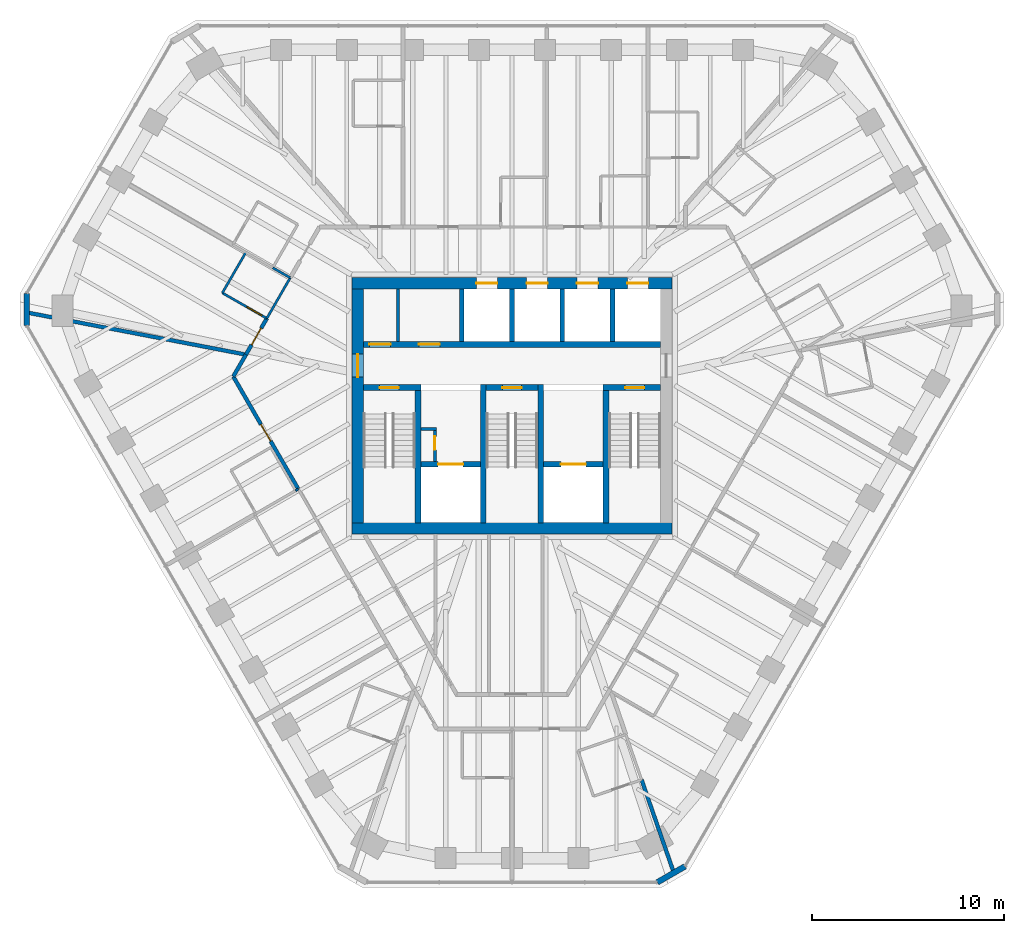
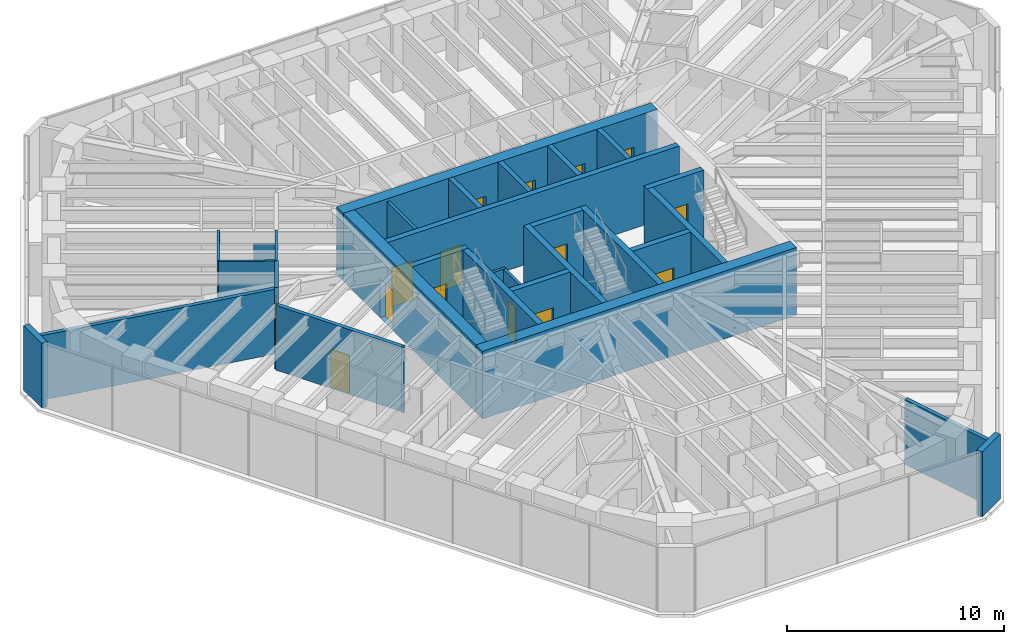
# One storey, part 10 of 14: 32 walls, 16 doors, 16 openings.
"""IFC4 building model written with IfcOpenShell, lengths in metres."""

from ifc_helpers import new_model, si_unit, direction, frame, frame_2d, origin, place, context, subcontext, project, spatial, rectangle, extrude, material, layer, layer_set, type_object, element, fill, save


model = new_model("IFC4")

# Units and contexts
model_context = context("Model", 3, precision=1e-05, world=origin(), true_north=direction((0.0, 1.0)))
body_context = subcontext(model_context, "Body", "Model", "MODEL_VIEW")
ifc_project = project(units=[si_unit("LENGTHUNIT", "METRE"), si_unit("AREAUNIT", "SQUARE_METRE"), si_unit("VOLUMEUNIT", "CUBIC_METRE"), si_unit("PLANEANGLEUNIT", "RADIAN"), si_unit("MASSUNIT", "GRAM", prefix="KILO")], contexts=[model_context])

# Site, building, storey
site_placement = place(None, origin())
site = spatial("IfcSite", under=ifc_project, at=site_placement, CompositionType="ELEMENT")
building_placement = place(site_placement, origin())
building = spatial("IfcBuilding", under=site, at=building_placement, Name="Sandreach Pilgrim Tower", CompositionType="ELEMENT")
storey_placement = place(building_placement, frame((0.0, 0.0, 272.199951171875)))
storey = spatial("IfcBuildingStorey", under=building, at=storey_placement, Name="L68", CompositionType="ELEMENT", Elevation=272.199951171875)

# Wall
ifc_material_1 = material(Name="Gypsum board on steel studs", Category="steel")
ifc_layer_1 = layer(ifc_material_1, 0.14990234375)
ifc_layer_set_1 = layer_set([ifc_layer_1], Name="Back of house wall 150")
wall_type_1 = type_object("IfcWallType", Name="Back of house wall 150", PredefinedType="PARTITIONING", material=ifc_layer_set_1)
wall_1_placement = place(storey_placement, frame((-5.949951171875, 3.35009765625, 0.0), z_axis=(0.0, 0.0, 1.0), x_axis=(0.0, 1.0, 0.0)))
element("IfcWall", 1, at=wall_1_placement, inside=storey, type_object=wall_type_1, Name="Core room partition L68 1", PredefinedType="PARTITIONING", context=body_context, shape_type="SweptSolid", body=[
    extrude(rectangle(XDim=2.75, YDim=0.14990234375, at=frame_2d((1.375, 0.0))), origin(), (0.0, 0.0, 1.0), 3.64013671875),
])

# Wall, opening, door
ifc_material_2 = material(Name="Moisture-resistant gypsum board on steel studs", Category="steel")
ifc_layer_2 = layer(ifc_material_2, 0.1201171875)
ifc_layer_set_2 = layer_set([ifc_layer_2], Name="Bathroom partition 120")
wall_type_2 = type_object("IfcWallType", Name="Bathroom partition 120", PredefinedType="PARTITIONING", material=ifc_layer_set_2)
wall_2_placement = place(storey_placement, frame((-15.110107421875, 5.889892578125, 0.0), z_axis=(0.0, 0.0, 1.0), x_axis=(0.867585049529, -0.497288831399, 0.0)))
wall_2 = element("IfcWall", 2, at=wall_2_placement, inside=storey, type_object=wall_type_2, Name="Bathroom partition L68-004", PredefinedType="PARTITIONING", context=body_context, shape_type="SweptSolid", body=[
    extrude(rectangle(XDim=2.674072265625, YDim=0.1201171875, at=frame_2d((1.3369140625, 0.0))), origin(), (0.0, 0.0, 1.0), 3.64013671875),
])
opening_1_placement = place(wall_2_placement, frame((1.47412109375, 0.0, 0.0)))
opening_1 = element("IfcOpeningElement", 3, at=opening_1_placement, cuts=wall_2, Name="Opening D09-15B", PredefinedType="OPENING", context=body_context, shape_type="SweptSolid", body=[
    extrude(rectangle(XDim=0.89990234375, YDim=2.030029296875, at=frame_2d((0.449951171875, 1.01513671875))), frame((0.0, 0.06005859375, 0.0), z_axis=(0.0, -1.0, 0.0), x_axis=(1.0, 0.0, 0.0)), (0.0, 0.0, 1.0), 0.1201171875),
])
ifc_material_3 = material(Name="Timber door, steel frame", Category="steel")
door_type_1 = type_object("IfcDoorType", Name="Bathroom door", OperationType="SINGLE_SWING_LEFT", PredefinedType="DOOR", material=ifc_material_3)
door_1_placement = place(opening_1_placement, origin())
door_1 = element("IfcDoor", 4, at=door_1_placement, inside=storey, type_object=door_type_1, Name="Door 6815B", OperationType="SINGLE_SWING_RIGHT", OverallHeight=2.030029296875, OverallWidth=0.89990234375, PredefinedType="DOOR", context=body_context, shape_type="SweptSolid", body=[
    extrude(rectangle(XDim=0.89990234375, YDim=2.030029296875, at=frame_2d((0.449951171875, 1.01513671875))), frame((0.0, 0.02490234375, 0.0), z_axis=(0.0, -1.0, 0.0), x_axis=(1.0, 0.0, 0.0)), (0.0, 0.0, 1.0), 0.050048828125),
])
fill(opening_1, door_1)

# Walls
wall_3_placement = place(storey_placement, frame((-13.8798828125, 8.010009765625, 0.0), z_axis=(0.0, 0.0, 1.0), x_axis=(-0.501888006485, -0.864932615264, 0.0)))
element("IfcWall", 5, at=wall_3_placement, inside=storey, type_object=wall_type_2, Name="Bathroom partition L68-011", PredefinedType="PARTITIONING", context=body_context, shape_type="SweptSolid", body=[
    extrude(rectangle(XDim=2.451171875, YDim=0.1201171875, at=frame_2d((1.2255859375, 0.0))), origin(), (0.0, 0.0, 1.0), 3.64013671875),
])
wall_4_placement = place(storey_placement, frame((-12.7900390625, 4.56005859375, 0.0), z_axis=(0.0, 0.0, 1.0), x_axis=(0.499252904436, 0.866456310158, 0.0)))
element("IfcWall", 6, at=wall_4_placement, inside=storey, type_object=wall_type_2, Name="Bathroom partition L68-017", PredefinedType="PARTITIONING", context=body_context, shape_type="SweptSolid", body=[
    extrude(rectangle(XDim=2.446044921875, YDim=0.1201171875, at=frame_2d((1.22314453125, 0.0))), origin(), (0.0, 0.0, 1.0), 3.64013671875),
])
wall_5_placement = place(storey_placement, frame((-12.47998046875, 7.199951171875, 0.0), z_axis=(0.0, 0.0, 1.0), x_axis=(0.868214469581, -0.496189111942, 0.0)))
element("IfcWall", 7, at=wall_5_placement, inside=storey, type_object=wall_type_2, Name="Bathroom partition L68-019", PredefinedType="PARTITIONING", context=body_context, shape_type="SweptSolid", body=[
    extrude(rectangle(XDim=1.048095703125, YDim=0.1201171875, at=frame_2d((0.52392578125, 0.0))), origin(), (0.0, 0.0, 1.0), 2.8779296875),
])
wall_6_placement = place(storey_placement, frame((-11.280029296875, -4.419921875, 0.0), z_axis=(0.0, 0.0, 1.0), x_axis=(0.851933114221, 0.5236506172, 0.0)))
element("IfcWall", 8, at=wall_6_placement, inside=storey, type_object=wall_type_2, Name="Bathroom partition L68-024", PredefinedType="PARTITIONING", context=body_context, shape_type="SweptSolid", body=[
    extrude(rectangle(XDim=0.15234375, YDim=0.1201171875, at=frame_2d((0.076171875, 0.0))), origin(), (0.0, 0.0, 1.0), 3.64013671875),
])
ifc_material_4 = material(Name="Concrete 10000 psi", Category="concrete")
ifc_layer_3 = layer(ifc_material_4, 0.300048828125)
ifc_layer_set_3 = layer_set([ifc_layer_3], Name="Core inner wall 300")
wall_type_3 = type_object("IfcWallType", Name="Core inner wall 300", PredefinedType="SHEAR", material=ifc_layer_set_3)
for number, where, z_axis, x_axis, name in (
    (9, (-4.89990234375, -6.10009765625, 0.0), (0.0, 0.0, 1.0), (0.0, 1.0, 0.0), "Core wall I0 L68"),
    (10, (-1.5, -6.10009765625, 0.0), (0.0, 0.0, 1.0), (0.0, 1.0, 0.0), "Core wall I1 L68"),
    (11, (1.5, -6.10009765625, 0.0), (0.0, 0.0, 1.0), (0.0, 1.0, 0.0), "Core wall I2 L68"),
    (12, (4.89990234375, -6.10009765625, 0.0), (0.0, 0.0, 1.0), (0.0, 1.0, 0.0), "Core wall I3 L68"),
):
    element("IfcWall", number, at=place(storey_placement, frame(where, z_axis=z_axis, x_axis=x_axis)), inside=storey, type_object=wall_type_3, Name=name, PredefinedType="SHEAR", context=body_context, shape_type="SweptSolid", body=[
        extrude(rectangle(XDim=7.2001953125, YDim=0.300048828125, at=frame_2d((3.60009765625, 0.0))), origin(), (0.0, 0.0, 1.0), 3.800048828125),
    ])

# Wall, opening, door
wall_7_placement = place(storey_placement, frame((-7.75, 0.949951171875, 0.0), z_axis=(0.0, 0.0, 1.0), x_axis=(1.0, 0.0, 0.0)))
wall_7 = element("IfcWall", 13, at=wall_7_placement, inside=storey, type_object=wall_type_3, Name="Core wall SN1 L68", PredefinedType="SHEAR", context=body_context, shape_type="SweptSolid", body=[
    extrude(rectangle(XDim=3.0, YDim=0.300048828125, at=frame_2d((1.5, 0.0))), origin(), (0.0, 0.0, 1.0), 3.800048828125),
])
opening_2_placement = place(wall_7_placement, frame((0.85009765625, 0.0, 0.0)))
opening_2 = element("IfcOpeningElement", 14, at=opening_2_placement, cuts=wall_7, Name="Opening D10S-ST1", PredefinedType="OPENING", context=body_context, shape_type="SweptSolid", body=[
    extrude(rectangle(XDim=1.0, YDim=2.199951171875, at=frame_2d((0.5, 1.10009765625))), frame((0.0, 0.14990234375, 0.0), z_axis=(0.0, -1.0, 0.0), x_axis=(1.0, 0.0, 0.0)), (0.0, 0.0, 1.0), 0.300048828125),
])
ifc_material_5 = material(Name="Steel door and frame", Category="steel")
door_type_2 = type_object("IfcDoorType", Name="Stair door", OperationType="SINGLE_SWING_LEFT", PredefinedType="DOOR", material=ifc_material_5)
door_2_placement = place(opening_2_placement, origin())
door_2 = element("IfcDoor", 15, at=door_2_placement, inside=storey, type_object=door_type_2, Name="Stair door ST1 L68", OperationType="SINGLE_SWING_LEFT", OverallHeight=2.199951171875, OverallWidth=1.0, PredefinedType="DOOR", context=body_context, shape_type="SweptSolid", body=[
    extrude(rectangle(XDim=1.0, YDim=2.199951171875, at=frame_2d((0.5, 1.10009765625))), frame((0.0, 0.02490234375, 0.0), z_axis=(0.0, -1.0, 0.0), x_axis=(1.0, 0.0, 0.0)), (0.0, 0.0, 1.0), 0.050048828125),
])
fill(opening_2, door_2)

wall_8_placement = place(storey_placement, frame((-1.35009765625, 0.949951171875, 0.0), z_axis=(0.0, 0.0, 1.0), x_axis=(1.0, 0.0, 0.0)))
wall_8 = element("IfcWall", 16, at=wall_8_placement, inside=storey, type_object=wall_type_3, Name="Core wall SN3 L68", PredefinedType="SHEAR", context=body_context, shape_type="SweptSolid", body=[
    extrude(rectangle(XDim=2.7001953125, YDim=0.300048828125, at=frame_2d((1.35009765625, 0.0))), origin(), (0.0, 0.0, 1.0), 3.800048828125),
])
opening_3_placement = place(wall_8_placement, frame((0.85009765625, 0.0, 0.0)))
opening_3 = element("IfcOpeningElement", 17, at=opening_3_placement, cuts=wall_8, Name="Opening D10S-ST3", PredefinedType="OPENING", context=body_context, shape_type="SweptSolid", body=[
    extrude(rectangle(XDim=1.0, YDim=2.199951171875, at=frame_2d((0.5, 1.10009765625))), frame((0.0, 0.14990234375, 0.0), z_axis=(0.0, -1.0, 0.0), x_axis=(1.0, 0.0, 0.0)), (0.0, 0.0, 1.0), 0.300048828125),
])
door_3_placement = place(opening_3_placement, origin())
door_3 = element("IfcDoor", 18, at=door_3_placement, inside=storey, type_object=door_type_2, Name="Stair door ST3 L68", OperationType="SINGLE_SWING_LEFT", OverallHeight=2.199951171875, OverallWidth=1.0, PredefinedType="DOOR", context=body_context, shape_type="SweptSolid", body=[
    extrude(rectangle(XDim=1.0, YDim=2.199951171875, at=frame_2d((0.5, 1.10009765625))), frame((0.0, 0.02490234375, 0.0), z_axis=(0.0, -1.0, 0.0), x_axis=(1.0, 0.0, 0.0)), (0.0, 0.0, 1.0), 0.050048828125),
])
fill(opening_3, door_3)

wall_9_placement = place(storey_placement, frame((4.75, 0.949951171875, 0.0), z_axis=(0.0, 0.0, 1.0), x_axis=(1.0, 0.0, 0.0)))
wall_9 = element("IfcWall", 19, at=wall_9_placement, inside=storey, type_object=wall_type_3, Name="Core wall SN2 L68", PredefinedType="SHEAR", context=body_context, shape_type="SweptSolid", body=[
    extrude(rectangle(XDim=3.0, YDim=0.300048828125, at=frame_2d((1.5, 0.0))), origin(), (0.0, 0.0, 1.0), 3.800048828125),
])
opening_4_placement = place(wall_9_placement, frame((1.14990234375, 0.0, 0.0)))
opening_4 = element("IfcOpeningElement", 20, at=opening_4_placement, cuts=wall_9, Name="Opening D10S-ST2", PredefinedType="OPENING", context=body_context, shape_type="SweptSolid", body=[
    extrude(rectangle(XDim=1.0, YDim=2.199951171875, at=frame_2d((0.5, 1.10009765625))), frame((0.0, 0.14990234375, 0.0), z_axis=(0.0, -1.0, 0.0), x_axis=(1.0, 0.0, 0.0)), (0.0, 0.0, 1.0), 0.300048828125),
])
door_4_placement = place(opening_4_placement, origin())
door_4 = element("IfcDoor", 21, at=door_4_placement, inside=storey, type_object=door_type_2, Name="Stair door ST2 L68", OperationType="SINGLE_SWING_RIGHT", OverallHeight=2.199951171875, OverallWidth=1.0, PredefinedType="DOOR", context=body_context, shape_type="SweptSolid", body=[
    extrude(rectangle(XDim=1.0, YDim=2.199951171875, at=frame_2d((0.5, 1.10009765625))), frame((0.0, 0.02490234375, 0.0), z_axis=(0.0, -1.0, 0.0), x_axis=(1.0, 0.0, 0.0)), (0.0, 0.0, 1.0), 0.050048828125),
])
fill(opening_4, door_4)

wall_10_placement = place(storey_placement, frame((-4.75, -3.050048828125, 0.0), z_axis=(0.0, 0.0, 1.0), x_axis=(1.0, 0.0, 0.0)))
wall_10 = element("IfcWall", 22, at=wall_10_placement, inside=storey, type_object=wall_type_3, Name="Core wall FL1 L68", PredefinedType="SHEAR", context=body_context, shape_type="SweptSolid", body=[
    extrude(rectangle(XDim=3.10009765625, YDim=0.300048828125, at=frame_2d((1.550048828125, 0.0))), origin(), (0.0, 0.0, 1.0), 3.800048828125),
])
opening_5_placement = place(wall_10_placement, frame((0.89990234375, 0.0, 0.0)))
opening_5 = element("IfcOpeningElement", 23, at=opening_5_placement, cuts=wall_10, Name="Opening LD13", PredefinedType="OPENING", context=body_context, shape_type="SweptSolid", body=[
    extrude(rectangle(XDim=1.300048828125, YDim=2.10009765625, at=frame_2d((0.64990234375, 1.050048828125))), frame((0.0, 0.14990234375, 0.0), z_axis=(0.0, -1.0, 0.0), x_axis=(1.0, 0.0, 0.0)), (0.0, 0.0, 1.0), 0.300048828125),
])
ifc_material_6 = material(Name="Steel door and frame", Category="steel")
door_type_3 = type_object("IfcDoorType", Name="Fire service lift landing door", OperationType="DOUBLE_DOOR_SLIDING", PredefinedType="DOOR", material=ifc_material_6)
door_5_placement = place(opening_5_placement, origin())
door_5 = element("IfcDoor", 24, at=door_5_placement, inside=storey, type_object=door_type_3, Name="Lift landing door FS1 L68", OperationType="DOUBLE_DOOR_SLIDING", OverallHeight=2.10009765625, OverallWidth=1.300048828125, PredefinedType="DOOR", context=body_context, shape_type="SweptSolid", body=[
    extrude(rectangle(XDim=1.300048828125, YDim=2.10009765625, at=frame_2d((0.64990234375, 1.050048828125))), frame((0.0, 0.02490234375, 0.0), z_axis=(0.0, -1.0, 0.0), x_axis=(1.0, 0.0, 0.0)), (0.0, 0.0, 1.0), 0.050048828125),
])
fill(opening_5, door_5)

wall_11_placement = place(storey_placement, frame((1.64990234375, -3.050048828125, 0.0), z_axis=(0.0, 0.0, 1.0), x_axis=(1.0, 0.0, 0.0)))
wall_11 = element("IfcWall", 25, at=wall_11_placement, inside=storey, type_object=wall_type_3, Name="Core wall FL2 L68", PredefinedType="SHEAR", context=body_context, shape_type="SweptSolid", body=[
    extrude(rectangle(XDim=3.10009765625, YDim=0.300048828125, at=frame_2d((1.550048828125, 0.0))), origin(), (0.0, 0.0, 1.0), 3.800048828125),
])
opening_6_placement = place(wall_11_placement, frame((0.89990234375, 0.0, 0.0)))
opening_6 = element("IfcOpeningElement", 26, at=opening_6_placement, cuts=wall_11, Name="Opening LD13", PredefinedType="OPENING", context=body_context, shape_type="SweptSolid", body=[
    extrude(rectangle(XDim=1.300048828125, YDim=2.10009765625, at=frame_2d((0.64990234375, 1.050048828125))), frame((0.0, 0.14990234375, 0.0), z_axis=(0.0, -1.0, 0.0), x_axis=(1.0, 0.0, 0.0)), (0.0, 0.0, 1.0), 0.300048828125),
])
door_6_placement = place(opening_6_placement, origin())
door_6 = element("IfcDoor", 27, at=door_6_placement, inside=storey, type_object=door_type_3, Name="Lift landing door FS2 L68", OperationType="DOUBLE_DOOR_SLIDING", OverallHeight=2.10009765625, OverallWidth=1.300048828125, PredefinedType="DOOR", context=body_context, shape_type="SweptSolid", body=[
    extrude(rectangle(XDim=1.300048828125, YDim=2.10009765625, at=frame_2d((0.64990234375, 1.050048828125))), frame((0.0, 0.02490234375, 0.0), z_axis=(0.0, -1.0, 0.0), x_axis=(1.0, 0.0, 0.0)), (0.0, 0.0, 1.0), 0.050048828125),
])
fill(opening_6, door_6)

# Wall, openings, doors
wall_12_placement = place(storey_placement, frame((-7.75, 3.199951171875, 0.0), z_axis=(0.0, 0.0, 1.0), x_axis=(1.0, 0.0, 0.0)))
wall_12 = element("IfcWall", 28, at=wall_12_placement, inside=storey, type_object=wall_type_3, Name="Core wall PN L68", PredefinedType="SHEAR", context=body_context, shape_type="SweptSolid", body=[
    extrude(rectangle(XDim=15.5, YDim=0.300048828125, at=frame_2d((7.75, 0.0))), origin(), (0.0, 0.0, 1.0), 3.800048828125),
])
opening_7_placement = place(wall_12_placement, frame((0.3125, 0.0, 0.0)))
opening_7 = element("IfcOpeningElement", 29, at=opening_7_placement, cuts=wall_12, Name="Opening D11L", PredefinedType="OPENING", context=body_context, shape_type="SweptSolid", body=[
    extrude(rectangle(XDim=1.10009765625, YDim=2.199951171875, at=frame_2d((0.550048828125, 1.10009765625))), frame((0.0, 0.14990234375, 0.0), z_axis=(0.0, -1.0, 0.0), x_axis=(1.0, 0.0, 0.0)), (0.0, 0.0, 1.0), 0.300048828125),
])
opening_8_placement = place(wall_12_placement, frame((2.887451171875, 0.0, 0.0)))
opening_8 = element("IfcOpeningElement", 30, at=opening_8_placement, cuts=wall_12, Name="Opening D11L", PredefinedType="OPENING", context=body_context, shape_type="SweptSolid", body=[
    extrude(rectangle(XDim=1.10009765625, YDim=2.199951171875, at=frame_2d((0.550048828125, 1.10009765625))), frame((0.0, 0.14990234375, 0.0), z_axis=(0.0, -1.0, 0.0), x_axis=(1.0, 0.0, 0.0)), (0.0, 0.0, 1.0), 0.300048828125),
])
ifc_material_7 = material(Name="Steel door and frame, smoke seals", Category="steel")
door_type_4 = type_object("IfcDoorType", Name="Core room door", OperationType="SINGLE_SWING_LEFT", PredefinedType="DOOR", material=ifc_material_7)
door_7_placement = place(opening_7_placement, origin())
door_7 = element("IfcDoor", 31, at=door_7_placement, inside=storey, type_object=door_type_4, Name="Door butler pantry 68K1", OperationType="SINGLE_SWING_LEFT", OverallHeight=2.199951171875, OverallWidth=1.10009765625, PredefinedType="DOOR", context=body_context, shape_type="SweptSolid", body=[
    extrude(rectangle(XDim=1.10009765625, YDim=2.199951171875, at=frame_2d((0.550048828125, 1.10009765625))), frame((0.0, 0.02490234375, 0.0), z_axis=(0.0, -1.0, 0.0), x_axis=(1.0, 0.0, 0.0)), (0.0, 0.0, 1.0), 0.050048828125),
])
fill(opening_7, door_7)
door_8_placement = place(opening_8_placement, origin())
door_8 = element("IfcDoor", 32, at=door_8_placement, inside=storey, type_object=door_type_4, Name="Door storage room 68K2", OperationType="SINGLE_SWING_LEFT", OverallHeight=2.199951171875, OverallWidth=1.10009765625, PredefinedType="DOOR", context=body_context, shape_type="SweptSolid", body=[
    extrude(rectangle(XDim=1.10009765625, YDim=2.199951171875, at=frame_2d((0.550048828125, 1.10009765625))), frame((0.0, 0.02490234375, 0.0), z_axis=(0.0, -1.0, 0.0), x_axis=(1.0, 0.0, 0.0)), (0.0, 0.0, 1.0), 0.050048828125),
])
fill(opening_8, door_8)

ifc_material_8 = material(Name="Concrete 10000 psi", Category="concrete")
ifc_layer_4 = layer(ifc_material_8, 0.60009765625)
ifc_layer_set_4 = layer_set([ifc_layer_4], Name="Core wall 600")
wall_type_4 = type_object("IfcWallType", Name="Core wall 600", PredefinedType="SHEAR", material=ifc_layer_set_4)
wall_13_placement = place(storey_placement, frame((-8.35009765625, 6.39990234375, 0.0), z_axis=(0.0, 0.0, 1.0), x_axis=(1.0, 0.0, 0.0)))
wall_13 = element("IfcWall", 33, at=wall_13_placement, inside=storey, type_object=wall_type_4, Name="Core wall N L68", PredefinedType="SHEAR", context=body_context, shape_type="SweptSolid", body=[
    extrude(rectangle(XDim=16.7001953125, YDim=0.60009765625, at=frame_2d((8.35009765625, 0.0))), origin(), (0.0, 0.0, 1.0), 3.800048828125),
])
opening_9_placement = place(wall_13_placement, frame((6.487548828125, 0.0, 0.0)))
opening_9 = element("IfcOpeningElement", 34, at=opening_9_placement, cuts=wall_13, Name="Opening LD11", PredefinedType="OPENING", context=body_context, shape_type="SweptSolid", body=[
    extrude(rectangle(XDim=1.10009765625, YDim=2.10009765625, at=frame_2d((0.550048828125, 1.050048828125))), frame((0.0, 0.300048828125, 0.0), z_axis=(0.0, -1.0, 0.0), x_axis=(1.0, 0.0, 0.0)), (0.0, 0.0, 1.0), 0.60009765625),
])
opening_10_placement = place(wall_13_placement, frame((9.112548828125, 0.0, 0.0)))
opening_10 = element("IfcOpeningElement", 35, at=opening_10_placement, cuts=wall_13, Name="Opening LD11", PredefinedType="OPENING", context=body_context, shape_type="SweptSolid", body=[
    extrude(rectangle(XDim=1.10009765625, YDim=2.10009765625, at=frame_2d((0.550048828125, 1.050048828125))), frame((0.0, 0.300048828125, 0.0), z_axis=(0.0, -1.0, 0.0), x_axis=(1.0, 0.0, 0.0)), (0.0, 0.0, 1.0), 0.60009765625),
])
opening_11_placement = place(wall_13_placement, frame((11.737548828125, 0.0, 0.0)))
opening_11 = element("IfcOpeningElement", 36, at=opening_11_placement, cuts=wall_13, Name="Opening LD11", PredefinedType="OPENING", context=body_context, shape_type="SweptSolid", body=[
    extrude(rectangle(XDim=1.10009765625, YDim=2.10009765625, at=frame_2d((0.550048828125, 1.050048828125))), frame((0.0, 0.300048828125, 0.0), z_axis=(0.0, -1.0, 0.0), x_axis=(1.0, 0.0, 0.0)), (0.0, 0.0, 1.0), 0.60009765625),
])
opening_12_placement = place(wall_13_placement, frame((14.362548828125, 0.0, 0.0)))
opening_12 = element("IfcOpeningElement", 37, at=opening_12_placement, cuts=wall_13, Name="Opening LD11", PredefinedType="OPENING", context=body_context, shape_type="SweptSolid", body=[
    extrude(rectangle(XDim=1.10009765625, YDim=2.10009765625, at=frame_2d((0.550048828125, 1.050048828125))), frame((0.0, 0.300048828125, 0.0), z_axis=(0.0, -1.0, 0.0), x_axis=(1.0, 0.0, 0.0)), (0.0, 0.0, 1.0), 0.60009765625),
])
ifc_material_9 = material(Name="Steel door and frame", Category="steel")
door_type_5 = type_object("IfcDoorType", Name="Lift landing door", OperationType="DOUBLE_DOOR_SLIDING", PredefinedType="DOOR", material=ifc_material_9)
door_9_placement = place(opening_9_placement, origin())
door_9 = element("IfcDoor", 38, at=door_9_placement, inside=storey, type_object=door_type_5, Name="Lift landing door Z3A L68", OperationType="DOUBLE_DOOR_SLIDING", OverallHeight=2.10009765625, OverallWidth=1.10009765625, PredefinedType="DOOR", context=body_context, shape_type="SweptSolid", body=[
    extrude(rectangle(XDim=1.10009765625, YDim=2.10009765625, at=frame_2d((0.550048828125, 1.050048828125))), frame((0.0, 0.02490234375, 0.0), z_axis=(0.0, -1.0, 0.0), x_axis=(1.0, 0.0, 0.0)), (0.0, 0.0, 1.0), 0.050048828125),
])
fill(opening_9, door_9)
door_10_placement = place(opening_10_placement, origin())
door_10 = element("IfcDoor", 39, at=door_10_placement, inside=storey, type_object=door_type_5, Name="Lift landing door Z3B L68", OperationType="DOUBLE_DOOR_SLIDING", OverallHeight=2.10009765625, OverallWidth=1.10009765625, PredefinedType="DOOR", context=body_context, shape_type="SweptSolid", body=[
    extrude(rectangle(XDim=1.10009765625, YDim=2.10009765625, at=frame_2d((0.550048828125, 1.050048828125))), frame((0.0, 0.02490234375, 0.0), z_axis=(0.0, -1.0, 0.0), x_axis=(1.0, 0.0, 0.0)), (0.0, 0.0, 1.0), 0.050048828125),
])
fill(opening_10, door_10)
door_11_placement = place(opening_11_placement, origin())
door_11 = element("IfcDoor", 40, at=door_11_placement, inside=storey, type_object=door_type_5, Name="Lift landing door Z3C L68", OperationType="DOUBLE_DOOR_SLIDING", OverallHeight=2.10009765625, OverallWidth=1.10009765625, PredefinedType="DOOR", context=body_context, shape_type="SweptSolid", body=[
    extrude(rectangle(XDim=1.10009765625, YDim=2.10009765625, at=frame_2d((0.550048828125, 1.050048828125))), frame((0.0, 0.02490234375, 0.0), z_axis=(0.0, -1.0, 0.0), x_axis=(1.0, 0.0, 0.0)), (0.0, 0.0, 1.0), 0.050048828125),
])
fill(opening_11, door_11)
door_12_placement = place(opening_12_placement, origin())
door_12 = element("IfcDoor", 41, at=door_12_placement, inside=storey, type_object=door_type_5, Name="Lift landing door Z3D L68", OperationType="DOUBLE_DOOR_SLIDING", OverallHeight=2.10009765625, OverallWidth=1.10009765625, PredefinedType="DOOR", context=body_context, shape_type="SweptSolid", body=[
    extrude(rectangle(XDim=1.10009765625, YDim=2.10009765625, at=frame_2d((0.550048828125, 1.050048828125))), frame((0.0, 0.02490234375, 0.0), z_axis=(0.0, -1.0, 0.0), x_axis=(1.0, 0.0, 0.0)), (0.0, 0.0, 1.0), 0.050048828125),
])
fill(opening_12, door_12)

# Wall
wall_14_placement = place(storey_placement, frame((-8.35009765625, -6.39990234375, 0.0), z_axis=(0.0, 0.0, 1.0), x_axis=(1.0, 0.0, 0.0)))
element("IfcWall", 42, at=wall_14_placement, inside=storey, type_object=wall_type_4, Name="Core wall S L68", PredefinedType="SHEAR", context=body_context, shape_type="SweptSolid", body=[
    extrude(rectangle(XDim=16.7001953125, YDim=0.60009765625, at=frame_2d((8.35009765625, 0.0))), origin(), (0.0, 0.0, 1.0), 3.800048828125),
])

# Wall, opening, door
wall_15_placement = place(storey_placement, frame((-8.050048828125, -6.10009765625, 0.0), z_axis=(0.0, 0.0, 1.0), x_axis=(0.0, 1.0, 0.0)))
wall_15 = element("IfcWall", 43, at=wall_15_placement, inside=storey, type_object=wall_type_4, Name="Core wall W L68", PredefinedType="SHEAR", context=body_context, shape_type="SweptSolid", body=[
    extrude(rectangle(XDim=12.2001953125, YDim=0.60009765625, at=frame_2d((6.10009765625, 0.0))), origin(), (0.0, 0.0, 1.0), 3.800048828125),
])
opening_13_placement = place(wall_15_placement, frame((7.60009765625, 0.0, 0.0)))
opening_13 = element("IfcOpeningElement", 44, at=opening_13_placement, cuts=wall_15, Name="Opening D12F-W", PredefinedType="OPENING", context=body_context, shape_type="SweptSolid", body=[
    extrude(rectangle(XDim=1.199951171875, YDim=2.199951171875, at=frame_2d((0.60009765625, 1.10009765625))), frame((0.0, 0.300048828125, 0.0), z_axis=(0.0, -1.0, 0.0), x_axis=(1.0, 0.0, 0.0)), (0.0, 0.0, 1.0), 0.60009765625),
])
ifc_material_10 = material(Name="Steel door and frame", Category="steel")
door_type_6 = type_object("IfcDoorType", Name="Fire lobby door", OperationType="SINGLE_SWING_LEFT", PredefinedType="DOOR", material=ifc_material_10)
door_13_placement = place(opening_13_placement, origin())
door_13 = element("IfcDoor", 45, at=door_13_placement, inside=storey, type_object=door_type_6, Name="Fire service lobby door W L68", OperationType="SINGLE_SWING_RIGHT", OverallHeight=2.199951171875, OverallWidth=1.199951171875, PredefinedType="DOOR", context=body_context, shape_type="SweptSolid", body=[
    extrude(rectangle(XDim=1.199951171875, YDim=2.199951171875, at=frame_2d((0.60009765625, 1.10009765625))), frame((0.0, 0.02490234375, 0.0), z_axis=(0.0, -1.0, 0.0), x_axis=(1.0, 0.0, 0.0)), (0.0, 0.0, 1.0), 0.050048828125),
])
fill(opening_13, door_13)

# Wall
ifc_material_11 = material(Name="Gypsum board on steel studs, two layers each side", Category="steel")
ifc_layer_5 = layer(ifc_material_11, 0.199951171875)
ifc_layer_set_5 = layer_set([ifc_layer_5], Name="Corridor wall 200")
wall_type_5 = type_object("IfcWallType", Name="Corridor wall 200", PredefinedType="PARTITIONING", material=ifc_layer_set_5)
wall_16_placement = place(storey_placement, frame((-14.5400390625, 1.530029296875, 0.0), z_axis=(0.0, 0.0, 1.0), x_axis=(0.501160466528, 0.865354370642, 0.0)))
element("IfcWall", 46, at=wall_16_placement, inside=storey, type_object=wall_type_5, Name="Corridor wall L68-007", PredefinedType="PARTITIONING", context=body_context, shape_type="SweptSolid", body=[
    extrude(rectangle(XDim=1.317138671875, YDim=0.199951171875, at=frame_2d((0.65869140625, 0.0))), origin(), (0.0, 0.0, 1.0), 3.64013671875),
])

# Wall, opening, door
wall_17_placement = place(storey_placement, frame((-14.5400390625, 1.530029296875, 0.0), z_axis=(0.0, 0.0, 1.0), x_axis=(0.500113178326, -0.865960050386, 0.0)))
wall_17 = element("IfcWall", 47, at=wall_17_placement, inside=storey, type_object=wall_type_5, Name="Corridor wall L68-008", PredefinedType="PARTITIONING", context=body_context, shape_type="SweptSolid", body=[
    extrude(rectangle(XDim=6.77880859375, YDim=0.199951171875, at=frame_2d((3.389404296875, 0.0))), origin(), (0.0, 0.0, 1.0), 3.64013671875),
])
opening_14_placement = place(wall_17_placement, frame((2.889404296875, 0.0, 0.0)))
opening_14 = element("IfcOpeningElement", 48, at=opening_14_placement, cuts=wall_17, Name="Opening D10-14", PredefinedType="OPENING", context=body_context, shape_type="SweptSolid", body=[
    extrude(rectangle(XDim=1.0, YDim=2.1298828125, at=frame_2d((0.5, 1.06494140625))), frame((0.0, 0.10009765625, 0.0), z_axis=(0.0, -1.0, 0.0), x_axis=(1.0, 0.0, 0.0)), (0.0, 0.0, 1.0), 0.199951171875),
])
ifc_material_12 = material(Name="Steel door and frame", Category="steel")
door_type_7 = type_object("IfcDoorType", Name="Guest room entry door", OperationType="SINGLE_SWING_LEFT", PredefinedType="DOOR", material=ifc_material_12)
door_14_placement = place(opening_14_placement, origin())
door_14 = element("IfcDoor", 49, at=door_14_placement, inside=storey, type_object=door_type_7, Name="Door 6814", OperationType="SINGLE_SWING_LEFT", OverallHeight=2.1298828125, OverallWidth=1.0, PredefinedType="DOOR", context=body_context, shape_type="SweptSolid", body=[
    extrude(rectangle(XDim=1.0, YDim=2.1298828125, at=frame_2d((0.5, 1.06494140625))), frame((0.0, 0.02490234375, 0.0), z_axis=(0.0, -1.0, 0.0), x_axis=(1.0, 0.0, 0.0)), (0.0, 0.0, 1.0), 0.050048828125),
])
fill(opening_14, door_14)

wall_18_placement = place(storey_placement, frame((-13.8798828125, 2.669921875, 0.0), z_axis=(0.0, 0.0, 1.0), x_axis=(0.499509324401, 0.866308510195, 0.0)))
wall_18 = element("IfcWall", 50, at=wall_18_placement, inside=storey, type_object=wall_type_5, Name="Corridor wall L68-010", PredefinedType="PARTITIONING", context=body_context, shape_type="SweptSolid", body=[
    extrude(rectangle(XDim=2.181884765625, YDim=0.199951171875, at=frame_2d((1.0908203125, 0.0))), origin(), (0.0, 0.0, 1.0), 3.64013671875),
])
opening_15_placement = place(wall_18_placement, frame((0.5908203125, 0.0, 0.0)))
opening_15 = element("IfcOpeningElement", 51, at=opening_15_placement, cuts=wall_18, Name="Opening D10-15", PredefinedType="OPENING", context=body_context, shape_type="SweptSolid", body=[
    extrude(rectangle(XDim=1.0, YDim=2.1298828125, at=frame_2d((0.5, 1.06494140625))), frame((0.0, 0.10009765625, 0.0), z_axis=(0.0, -1.0, 0.0), x_axis=(1.0, 0.0, 0.0)), (0.0, 0.0, 1.0), 0.199951171875),
])
door_15_placement = place(opening_15_placement, origin())
door_15 = element("IfcDoor", 52, at=door_15_placement, inside=storey, type_object=door_type_7, Name="Door 6815", OperationType="SINGLE_SWING_LEFT", OverallHeight=2.1298828125, OverallWidth=1.0, PredefinedType="DOOR", context=body_context, shape_type="SweptSolid", body=[
    extrude(rectangle(XDim=1.0, YDim=2.1298828125, at=frame_2d((0.5, 1.06494140625))), frame((0.0, 0.02490234375, 0.0), z_axis=(0.0, -1.0, 0.0), x_axis=(1.0, 0.0, 0.0)), (0.0, 0.0, 1.0), 0.050048828125),
])
fill(opening_15, door_15)

# Walls
ifc_material_13 = material(Name="Double steel stud acoustic wall, gypsum board", Category="steel")
ifc_layer_6 = layer(ifc_material_13, 0.199951171875)
ifc_layer_set_6 = layer_set([ifc_layer_6], Name="Party wall 200")
wall_type_6 = type_object("IfcWallType", Name="Party wall 200", PredefinedType="PARTITIONING", material=ifc_layer_set_6)
wall_19_placement = place(storey_placement, frame((-25.340576171875, 4.874267578125, 0.0), z_axis=(0.0, 0.0, 1.0), x_axis=(0.98200120174, -0.188874666859, 0.0)))
element("IfcWall", 53, at=wall_19_placement, inside=storey, type_object=wall_type_6, Name="Party wall L68-001", PredefinedType="PARTITIONING", context=body_context, shape_type="SweptSolid", body=[
    extrude(rectangle(XDim=11.62060546875, YDim=0.199951171875, at=frame_2d((5.810302734375, 0.0))), origin(), (0.0, 0.0, 1.0), 3.64013671875),
])
wall_20_placement = place(storey_placement, frame((6.760009765625, -19.510009765625, 0.0), z_axis=(0.0, 0.0, 1.0), x_axis=(0.327780464108, -0.944753918938, 0.0)))
element("IfcWall", 54, at=wall_20_placement, inside=storey, type_object=wall_type_6, Name="Party wall L68-078", PredefinedType="PARTITIONING", context=body_context, shape_type="SweptSolid", body=[
    extrude(rectangle(XDim=5.156494140625, YDim=0.199951171875, at=frame_2d((2.578125, 0.0))), origin(), (0.0, 0.0, 1.0), 3.64013671875),
])

# Wall, opening, door
ifc_material_14 = material(Name="Gypsum shaft wall on steel studs, shaft liner board", Category="steel")
ifc_layer_7 = layer(ifc_material_14, 0.14990234375)
ifc_layer_set_7 = layer_set([ifc_layer_7], Name="Riser shaft wall 150")
wall_type_7 = type_object("IfcWallType", Name="Riser shaft wall 150", PredefinedType="PARTITIONING", material=ifc_layer_set_7)
wall_21_placement = place(storey_placement, frame((-4.02490234375, -2.89990234375, 0.0), z_axis=(0.0, 0.0, 1.0), x_axis=(0.0, 1.0, 0.0)))
wall_21 = element("IfcWall", 55, at=wall_21_placement, inside=storey, type_object=wall_type_7, Name="Riser partition L68 side", PredefinedType="PARTITIONING", context=body_context, shape_type="SweptSolid", body=[
    extrude(rectangle(XDim=1.77490234375, YDim=0.14990234375, at=frame_2d((0.887451171875, 0.0))), origin(), (0.0, 0.0, 1.0), 3.64013671875),
])
opening_16_placement = place(wall_21_placement, frame((0.60009765625, 0.0, 0.0)))
opening_16 = element("IfcOpeningElement", 56, at=opening_16_placement, cuts=wall_21, Name="Opening D07R", PredefinedType="OPENING", context=body_context, shape_type="SweptSolid", body=[
    extrude(rectangle(XDim=0.699951171875, YDim=2.10009765625, at=frame_2d((0.35009765625, 1.050048828125))), frame((0.0, 0.074951171875, 0.0), z_axis=(0.0, -1.0, 0.0), x_axis=(1.0, 0.0, 0.0)), (0.0, 0.0, 1.0), 0.14990234375),
])
ifc_material_15 = material(Name="Steel door and frame, smoke seals", Category="steel")
door_type_8 = type_object("IfcDoorType", Name="Riser access door", OperationType="SINGLE_SWING_RIGHT", PredefinedType="DOOR", material=ifc_material_15)
door_16_placement = place(opening_16_placement, origin())
door_16 = element("IfcDoor", 57, at=door_16_placement, inside=storey, type_object=door_type_8, Name="Door riser 68ER", OperationType="SINGLE_SWING_RIGHT", OverallHeight=2.10009765625, OverallWidth=0.699951171875, PredefinedType="DOOR", context=body_context, shape_type="SweptSolid", body=[
    extrude(rectangle(XDim=0.699951171875, YDim=2.10009765625, at=frame_2d((0.35009765625, 1.050048828125))), frame((0.0, 0.02490234375, 0.0), z_axis=(0.0, -1.0, 0.0), x_axis=(1.0, 0.0, 0.0)), (0.0, 0.0, 1.0), 0.050048828125),
])
fill(opening_16, door_16)

# Walls
wall_22_placement = place(storey_placement, frame((-4.75, -1.199951171875, 0.0), z_axis=(0.0, 0.0, 1.0), x_axis=(1.0, 0.0, 0.0)))
element("IfcWall", 58, at=wall_22_placement, inside=storey, type_object=wall_type_7, Name="Riser partition L68 front", PredefinedType="PARTITIONING", context=body_context, shape_type="SweptSolid", body=[
    extrude(rectangle(XDim=0.800048828125, YDim=0.14990234375, at=frame_2d((0.39990234375, 0.0))), origin(), (0.0, 0.0, 1.0), 3.64013671875),
])
ifc_material_16 = material(Name="Gypsum shaft wall on steel studs, two layers of shaft liner board", Category="steel")
ifc_layer_8 = layer(ifc_material_16, 0.25)
ifc_layer_set_8 = layer_set([ifc_layer_8], Name="Shaft partition 250")
wall_type_8 = type_object("IfcWallType", Name="Shaft partition 250", PredefinedType="PARTITIONING", material=ifc_layer_set_8)
for number, where, z_axis, x_axis, name in (
    (59, (-2.625, 3.35009765625, 0.0), (0.0, 0.0, 1.0), (0.0, 1.0, 0.0), "Shaft partition NS1 L68"),
    (60, (0.0, 3.35009765625, 0.0), (0.0, 0.0, 1.0), (0.0, 1.0, 0.0), "Shaft partition NS2 L68"),
    (61, (2.625, 3.35009765625, 0.0), (0.0, 0.0, 1.0), (0.0, 1.0, 0.0), "Shaft partition NS3 L68"),
    (62, (5.25, 3.35009765625, 0.0), (0.0, 0.0, 1.0), (0.0, 1.0, 0.0), "Shaft partition NS4 L68"),
):
    element("IfcWall", number, at=place(storey_placement, frame(where, z_axis=z_axis, x_axis=x_axis)), inside=storey, type_object=wall_type_8, Name=name, PredefinedType="PARTITIONING", context=body_context, shape_type="SweptSolid", body=[
        extrude(rectangle(XDim=2.75, YDim=0.25, at=frame_2d((1.375, 0.0))), origin(), (0.0, 0.0, 1.0), 3.800048828125),
    ])
ifc_material_17 = material(Name="Terracotta rainscreen on concrete", Category="masonry")
ifc_layer_9 = layer(ifc_material_17, 0.300048828125)
ifc_layer_set_9 = layer_set([ifc_layer_9], Name="Terracotta chamfer pier")
wall_type_9 = type_object("IfcWallType", Name="Terracotta chamfer pier", PredefinedType="SOLIDWALL", material=ifc_layer_set_9)
for number, where, z_axis, x_axis, name in (
    (63, (9.02099609375, -24.028076171875, 0.0), (0.0, 0.0, 1.0), (-0.865989634427, -0.500061949227, 0.0), "Chamfer pier L68 SE"),
    (64, (-25.3193359375, 4.20166015625, 0.0), (0.0, 0.0, 1.0), (0.0, 1.0, 0.0), "Chamfer pier L68 SW"),
):
    element("IfcWall", number, at=place(storey_placement, frame(where, z_axis=z_axis, x_axis=x_axis)), inside=storey, type_object=wall_type_9, Name=name, PredefinedType="SOLIDWALL", context=body_context, shape_type="SweptSolid", body=[
        extrude(rectangle(XDim=1.659912109375, YDim=0.300048828125, at=frame_2d((0.830078125, 0.0))), origin(), (0.0, 0.0, 1.0), 3.64013671875),
    ])

save(model, "model.ifc")
